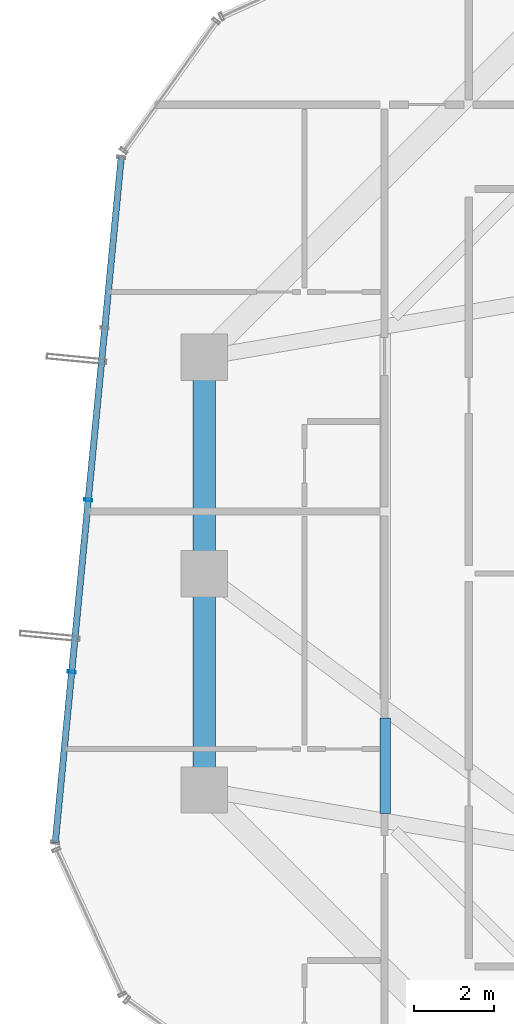
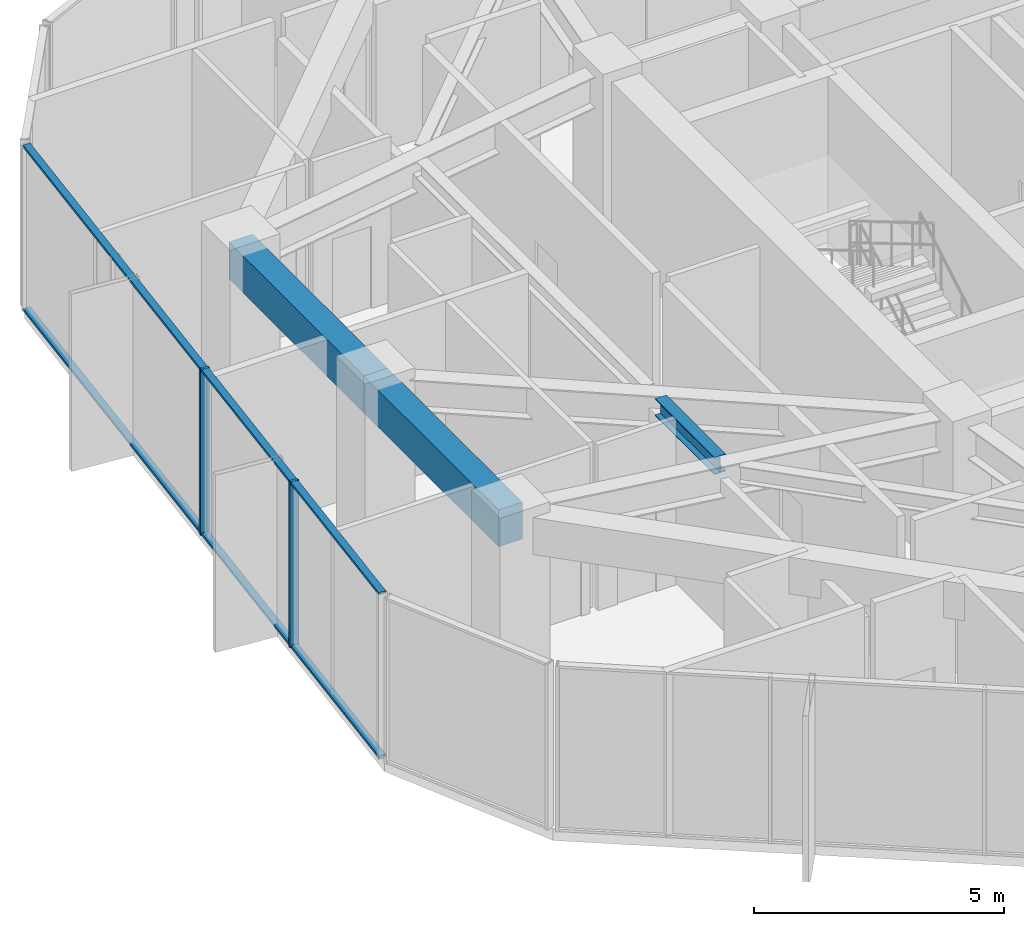
# One storey, part 8 of 25: 4 members, 3 beams, 1 element without a shape of its own.
"""IFC4 building model written with IfcOpenShell, lengths in metres."""

from ifc_helpers import new_model, si_unit, direction, frame, origin, origin_2d, place, context, subcontext, project, spatial, rectangle, hollow_rectangle, i_section, extrude, source, transform, mapped, material, layer, layer_set, material_profile, profile_set, type_object, element, aggregate, save


model = new_model("IFC4")

# Units and contexts
model_context = context("Model", 3, precision=1e-05, world=origin(), true_north=direction((0.0, 1.0)))
body_context = subcontext(model_context, "Body", "Model", "MODEL_VIEW")
ifc_project = project(units=[si_unit("LENGTHUNIT", "METRE"), si_unit("AREAUNIT", "SQUARE_METRE"), si_unit("VOLUMEUNIT", "CUBIC_METRE"), si_unit("PLANEANGLEUNIT", "RADIAN"), si_unit("MASSUNIT", "GRAM", prefix="KILO")], contexts=[model_context])

# Site, building, storey
site_placement = place(None, origin())
site = spatial("IfcSite", under=ifc_project, at=site_placement, CompositionType="ELEMENT")
building_placement = place(site_placement, origin())
building = spatial("IfcBuilding", under=site, at=building_placement, Name="Veraguas Prism Commons", CompositionType="ELEMENT")
storey_placement = place(building_placement, frame((0.0, 0.0, 108.949951171875)))
storey = spatial("IfcBuildingStorey", under=building, at=storey_placement, Name="L30", CompositionType="ELEMENT", Elevation=108.949951171875)

# Beams
ifc_material_1 = material(Name="Steel ASTM A992 Grade 50", Category="steel")
ifc_material_profile_1 = material_profile(ifc_material_1, i_section(OverallWidth=0.260986328125, OverallDepth=0.419921875, WebThickness=0.01171875, FlangeThickness=0.019287109375, at=origin_2d()), Name="W410X114")
ifc_profile_set_1 = profile_set([ifc_material_profile_1], Name="Steel ASTM A992 Grade 50")
beam_type_1 = type_object("IfcBeamType", Name="Lower Floor Joist W410x114", PredefinedType="JOIST", material=ifc_profile_set_1)
beam_placement = place(storey_placement, frame((12.31201171875, 20.404296875, 3.840087890625), z_axis=(0.0, -1.0, 0.0), x_axis=(1.0, 0.0, 0.0)))
element("IfcBeam", 1, at=beam_placement, inside=storey, type_object=beam_type_1, Name="Composite Floor Joist L30-JS08", PredefinedType="JOIST", context=body_context, shape_type="SweptSolid", body=[
    extrude(i_section(OverallWidth=0.260986328125, OverallDepth=0.419921875, WebThickness=0.01171875, FlangeThickness=0.019287109375, at=origin_2d()), origin(), (0.0, 0.0, 1.0), 2.380615234375),
])
ifc_material_2 = material(Name="Concrete C50/60", Category="concrete")
ifc_material_profile_2 = material_profile(ifc_material_2, rectangle(XDim=0.550048828125, YDim=0.89990234375, at=origin_2d()), Name="RC550X900")
ifc_profile_set_2 = profile_set([ifc_material_profile_2], Name="Concrete C50/60")
beam_type_2 = type_object("IfcBeamType", Name="Perimeter Spandrel Lower RC 550x900", PredefinedType="SPANDREL", material=ifc_profile_set_2)
for number, where, z_axis, x_axis, name in (
    (2, (7.800048828125, 29.39990234375, 3.60009765625), (0.0, -1.0, 0.0), (1.0, 0.0, 0.0), "Perimeter Spandrel Beam L30-SP07"),
    (3, (7.800048828125, 24.0, 3.60009765625), (0.0, -1.0, 0.0), (1.0, 0.0, 0.0), "Perimeter Spandrel Beam L30-SP08"),
):
    element("IfcBeam", number, at=place(storey_placement, frame(where, z_axis=z_axis, x_axis=x_axis)), inside=storey, type_object=beam_type_2, Name=name, PredefinedType="SPANDREL", context=body_context, shape_type="SweptSolid", body=[
        extrude(rectangle(XDim=0.550048828125, YDim=0.89990234375, at=origin_2d()), origin(), (0.0, 0.0, 1.0), 5.39990234375),
    ])

# Curtain wall, members
ifc_material_3 = material(Name="Anodised aluminium EN AW-6063 T6", Category="aluminium")
ifc_layer = layer(ifc_material_3, 0.199951171875, Name="Sky Lobby and Pool Acoustic Curtain Wall", Category="aluminium")
ifc_layer_set = layer_set([ifc_layer], Name="Anodised aluminium EN AW-6063 T6")
curtain_wall_type = type_object("IfcCurtainWallType", Name="Sky Lobby and Pool Acoustic Curtain Wall", PredefinedType="NOTDEFINED", material=ifc_layer_set)
curtain_wall_placement = place(storey_placement, origin())
curtain_wall = element("IfcCurtainWall", 4, at=curtain_wall_placement, inside=storey, type_object=curtain_wall_type, Name="Tower Facade Curtain Wall L30-F3", PredefinedType="NOTDEFINED")
ifc_material_profile_3 = material_profile(ifc_material_3, hollow_rectangle(XDim=0.06494140625, YDim=0.199951171875, WallThickness=0.00390625, at=origin_2d()), Name="AL65X200X4")
ifc_profile_set_3 = profile_set([ifc_material_profile_3], Name="Anodised aluminium EN AW-6063 T6")
member_type_1 = type_object("IfcMemberType", Name="Curtain Wall Mullion Heavy AL 65x200x4", PredefinedType="MULLION", material=ifc_profile_set_3)
shared_shape_1 = source(origin(), body_context, "Body", "SweptSolid", [
    extrude(hollow_rectangle(XDim=0.06494140625, YDim=0.199951171875, WallThickness=0.00390625, at=origin_2d()), origin(), (0.0, 0.0, 1.0), 4.050048828125),
])
member_1_placement = place(storey_placement, frame((4.90576171875, 25.838623046875, 0.0), z_axis=(0.0, 0.0, 1.0), x_axis=(-0.095837066046, -0.995397034741, 0.0)))
member_1 = element("IfcMember", 5, at=member_1_placement, type_object=member_type_1, Name="CW-SKY Mullion 3", PredefinedType="MULLION", context=body_context, shape_type="MappedRepresentation", body=[
    mapped(shared_shape_1, transform((0.0, 0.0, 0.0), scale=1.0)),
])
member_2_placement = place(storey_placement, frame((4.492919921875, 21.5498046875, 0.0), z_axis=(0.0, 0.0, 1.0), x_axis=(-0.095837066046, -0.995397034741, 0.0)))
member_2 = element("IfcMember", 6, at=member_2_placement, type_object=member_type_1, Name="CW-SKY Mullion 4", PredefinedType="MULLION", context=body_context, shape_type="MappedRepresentation", body=[
    mapped(shared_shape_1, transform((0.0, 0.0, 0.0), scale=1.0)),
])
ifc_material_profile_4 = material_profile(ifc_material_3, hollow_rectangle(XDim=0.06005859375, YDim=0.159912109375, WallThickness=0.0029296875, at=origin_2d()), Name="AL60X160X3")
ifc_profile_set_4 = profile_set([ifc_material_profile_4], Name="Anodised aluminium EN AW-6063 T6")
member_type_2 = type_object("IfcMemberType", Name="Curtain Wall Transom Heavy AL 60x160x3", PredefinedType="USERDEFINED", material=ifc_profile_set_4)
shared_shape_2 = source(origin(), body_context, "Body", "SweptSolid", [
    extrude(hollow_rectangle(XDim=0.06005859375, YDim=0.159912109375, WallThickness=0.0029296875, at=origin_2d()), origin(), (0.0, 0.0, 1.0), 17.16943359375),
])
member_3_placement = place(storey_placement, frame((5.728515625, 34.3837890625, 0.030029296875), z_axis=(-0.095839751315, -0.995396776199, 0.0), x_axis=(0.0, 0.0, 1.0)))
member_3 = element("IfcMember", 7, at=member_3_placement, type_object=member_type_2, Name="CW-SKY Transom 1", ObjectType="TRANSOM", PredefinedType="USERDEFINED", context=body_context, shape_type="MappedRepresentation", body=[
    mapped(shared_shape_2, transform((0.0, 0.0, 0.0), scale=1.0)),
])
member_4_placement = place(storey_placement, frame((5.728515625, 34.3837890625, 4.02001953125), z_axis=(-0.095839751315, -0.995396776199, 0.0), x_axis=(0.0, 0.0, 1.0)))
member_4 = element("IfcMember", 8, at=member_4_placement, type_object=member_type_2, Name="CW-SKY Transom 2", ObjectType="TRANSOM", PredefinedType="USERDEFINED", context=body_context, shape_type="MappedRepresentation", body=[
    mapped(shared_shape_2, transform((0.0, 0.0, 0.0), scale=1.0)),
])
aggregate(curtain_wall, [member_1, member_2, member_3, member_4])

save(model, "model.ifc")
